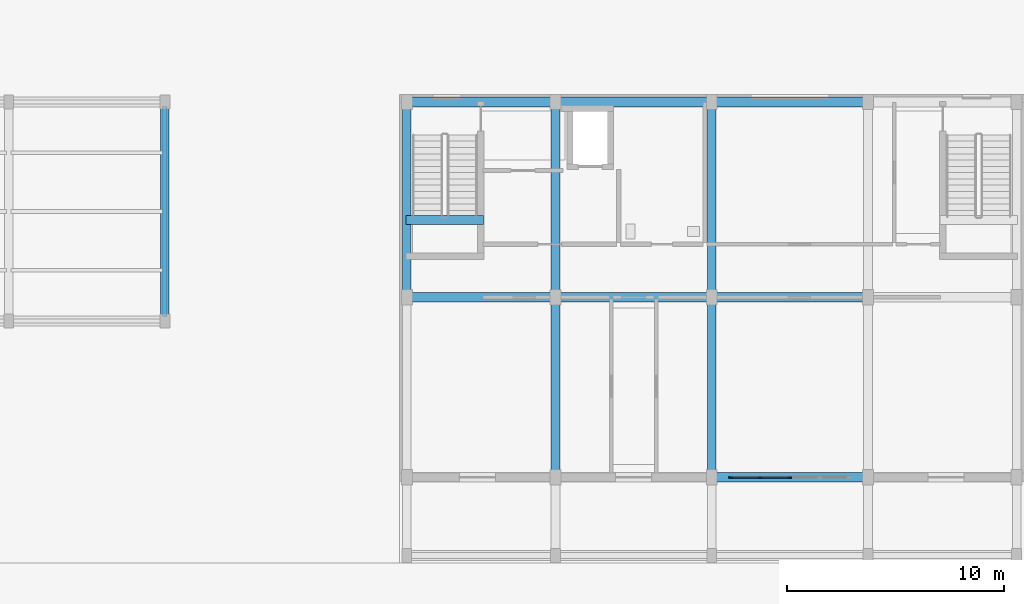
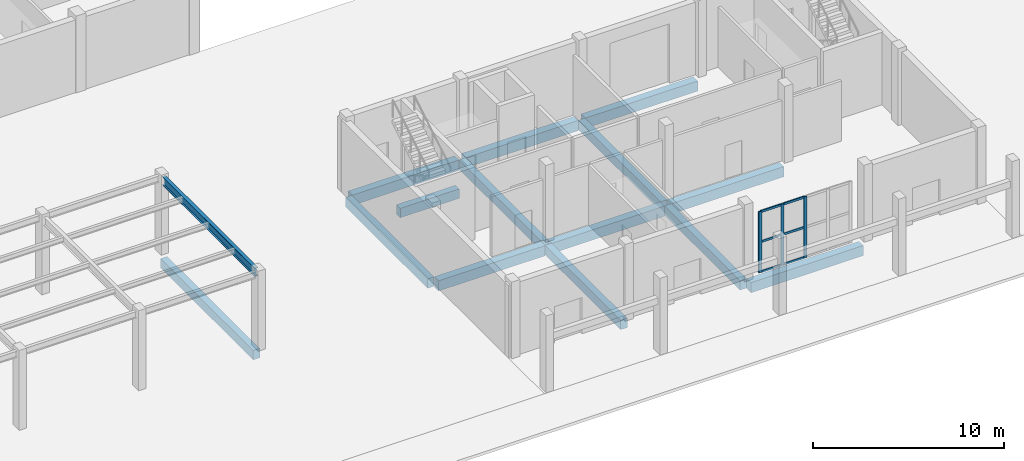
# One storey, part 12 of 85: 15 beams, 9 members, 1 element without a shape of its own.
"""IFC4 building model written with IfcOpenShell, lengths in metres."""

from ifc_helpers import new_model, si_unit, derived_unit, direction, frame, origin, origin_2d, place, context, subcontext, project, spatial, rectangle, i_section, extrude, material, layer, layer_set, material_profile, profile_set, type_object, element, aggregate, save


model = new_model("IFC4")

# Units and contexts
model_context = context("Model", 3, precision=1e-05, world=origin(), true_north=direction((0.0, 1.0)))
body_context = subcontext(model_context, "Body", "Model", "MODEL_VIEW")
ifc_project = project(units=[si_unit("LENGTHUNIT", "METRE"), si_unit("AREAUNIT", "SQUARE_METRE"), si_unit("VOLUMEUNIT", "CUBIC_METRE"), si_unit("PLANEANGLEUNIT", "RADIAN"), si_unit("MASSUNIT", "GRAM", prefix="KILO"), derived_unit("THERMALTRANSMITTANCEUNIT", [(si_unit("MASSUNIT", "GRAM", prefix="KILO"), 1), (si_unit("TIMEUNIT", "SECOND"), -3), (si_unit("THERMODYNAMICTEMPERATUREUNIT", "KELVIN"), -1)])], contexts=[model_context])

# Site, building, storey
site_placement = place(None, origin())
site = spatial("IfcSite", under=ifc_project, at=site_placement, CompositionType="ELEMENT")
building_placement = place(site_placement, origin())
building = spatial("IfcBuilding", under=site, at=building_placement, Name="Ochrekiln Boulevard Commons", CompositionType="ELEMENT")
storey_placement = place(building_placement, origin())
storey = spatial("IfcBuildingStorey", under=building, at=storey_placement, Name="L00", CompositionType="ELEMENT", Elevation=0.0)

# Beams
ifc_material_1 = material(Name="Concrete C35/45", Category="concrete")
ifc_material_profile_1 = material_profile(ifc_material_1, rectangle(XDim=0.39990234375, YDim=0.60009765625, at=origin_2d()), Name="RC-BM-400x600")
ifc_profile_set_1 = profile_set([ifc_material_profile_1], Name="Concrete C35/45")
beam_type_1 = type_object("IfcBeamType", Name="BM-RC-400x600", PredefinedType="BEAM", material=ifc_profile_set_1)
beam_1_placement = place(storey_placement, frame((108.35009765625, 12.4599609375, -0.590087890625), z_axis=(0.0, 1.0, 0.0), x_axis=(-1.0, 0.0, 0.0)))
element("IfcBeam", 1, at=beam_1_placement, inside=storey, type_object=beam_type_1, Name="East Boulevard Shops and Arcade L00 Beam B-4060 Y19", PredefinedType="BEAM", context=body_context, shape_type="SweptSolid", body=[
    extrude(rectangle(XDim=0.39990234375, YDim=0.60009765625, at=origin_2d()), origin(), (0.0, 0.0, 1.0), 8.580078125),
])
beam_2_placement = place(storey_placement, frame((115.199951171875, 4.159912109375, -0.590087890625), z_axis=(0.0, 1.0, 0.0), x_axis=(-1.0, 0.0, 0.0)))
element("IfcBeam", 2, at=beam_2_placement, inside=storey, type_object=beam_type_1, Name="East Boulevard Shops and Arcade L00 Beam B-4060 Y21", PredefinedType="BEAM", context=body_context, shape_type="SweptSolid", body=[
    extrude(rectangle(XDim=0.39990234375, YDim=0.60009765625, at=origin_2d()), origin(), (0.0, 0.0, 1.0), 7.880126953125),
])
beam_3_placement = place(storey_placement, frame((115.199951171875, 12.4599609375, -0.590087890625), z_axis=(0.0, 1.0, 0.0), x_axis=(-1.0, 0.0, 0.0)))
element("IfcBeam", 3, at=beam_3_placement, inside=storey, type_object=beam_type_1, Name="East Boulevard Shops and Arcade L00 Beam B-4060 Y22", PredefinedType="BEAM", context=body_context, shape_type="SweptSolid", body=[
    extrude(rectangle(XDim=0.39990234375, YDim=0.60009765625, at=origin_2d()), origin(), (0.0, 0.0, 1.0), 8.580078125),
])
beam_4_placement = place(storey_placement, frame((122.39990234375, 4.159912109375, -0.590087890625), z_axis=(0.0, 1.0, 0.0), x_axis=(-1.0, 0.0, 0.0)))
element("IfcBeam", 4, at=beam_4_placement, inside=storey, type_object=beam_type_1, Name="East Boulevard Shops and Arcade L00 Beam B-4060 Y24", PredefinedType="BEAM", context=body_context, shape_type="SweptSolid", body=[
    extrude(rectangle(XDim=0.39990234375, YDim=0.60009765625, at=origin_2d()), origin(), (0.0, 0.0, 1.0), 7.880126953125),
])
beam_5_placement = place(storey_placement, frame((122.39990234375, 12.4599609375, -0.590087890625), z_axis=(0.0, 1.0, 0.0), x_axis=(-1.0, 0.0, 0.0)))
element("IfcBeam", 5, at=beam_5_placement, inside=storey, type_object=beam_type_1, Name="East Boulevard Shops and Arcade L00 Beam B-4060 Y25", PredefinedType="BEAM", context=body_context, shape_type="SweptSolid", body=[
    extrude(rectangle(XDim=0.39990234375, YDim=0.60009765625, at=origin_2d()), origin(), (0.0, 0.0, 1.0), 8.580078125),
])
beam_6_placement = place(storey_placement, frame((97.199951171875, 11.360107421875, -0.580078125), z_axis=(0.0, 1.0, 0.0), x_axis=(-1.0, 0.0, 0.0)))
element("IfcBeam", 6, at=beam_6_placement, inside=storey, type_object=beam_type_1, Name="Forecourt Canopy L00 Beam B-4060 Y13", PredefinedType="BEAM", context=body_context, shape_type="SweptSolid", body=[
    extrude(rectangle(XDim=0.39990234375, YDim=0.60009765625, at=origin_2d()), origin(), (0.0, 0.0, 1.0), 9.679931640625),
])
beam_7_placement = place(storey_placement, frame((108.320068359375, 15.81005859375, 1.93994140625), z_axis=(1.0, 0.0, 0.0), x_axis=(0.0, 1.0, 0.0)))
element("IfcBeam", 7, at=beam_7_placement, inside=storey, type_object=beam_type_1, Name="Stair ST-E1 L00 Half-Landing Support Beam B-4060", PredefinedType="BEAM", context=body_context, shape_type="SweptSolid", body=[
    extrude(rectangle(XDim=0.39990234375, YDim=0.60009765625, at=origin_2d()), origin(), (0.0, 0.0, 1.0), 3.559814453125),
])
ifc_material_profile_2 = material_profile(ifc_material_1, rectangle(XDim=0.449951171875, YDim=0.64990234375, at=origin_2d()), Name="RC-BM-450x650")
ifc_profile_set_2 = profile_set([ifc_material_profile_2], Name="Concrete C35/45")
beam_type_2 = type_object("IfcBeamType", Name="BM-RC-450x650", PredefinedType="BEAM", material=ifc_profile_set_2)
beam_8_placement = place(storey_placement, frame((122.610107421875, 3.949951171875, -0.614990234375), z_axis=(1.0, 0.0, 0.0), x_axis=(0.0, 1.0, 0.0)))
element("IfcBeam", 8, at=beam_8_placement, inside=storey, type_object=beam_type_2, Name="East Boulevard Shops and Arcade L00 Beam B-4565 X7", PredefinedType="BEAM", context=body_context, shape_type="SweptSolid", body=[
    extrude(rectangle(XDim=0.449951171875, YDim=0.64990234375, at=origin_2d()), origin(), (0.0, 0.0, 1.0), 6.77978515625),
])
beam_9_placement = place(storey_placement, frame((108.56005859375, 12.25, -0.614990234375), z_axis=(1.0, 0.0, 0.0), x_axis=(0.0, 1.0, 0.0)))
element("IfcBeam", 9, at=beam_9_placement, inside=storey, type_object=beam_type_2, Name="East Boulevard Shops and Arcade L00 Beam B-4565 X9", PredefinedType="BEAM", context=body_context, shape_type="SweptSolid", body=[
    extrude(rectangle(XDim=0.449951171875, YDim=0.64990234375, at=origin_2d()), origin(), (0.0, 0.0, 1.0), 6.429931640625),
])
beam_10_placement = place(storey_placement, frame((115.409912109375, 12.25, -0.614990234375), z_axis=(1.0, 0.0, 0.0), x_axis=(0.0, 1.0, 0.0)))
element("IfcBeam", 10, at=beam_10_placement, inside=storey, type_object=beam_type_2, Name="East Boulevard Shops and Arcade L00 Beam B-4565 X10", PredefinedType="BEAM", context=body_context, shape_type="SweptSolid", body=[
    extrude(rectangle(XDim=0.449951171875, YDim=0.64990234375, at=origin_2d()), origin(), (0.0, 0.0, 1.0), 6.780029296875),
])
beam_11_placement = place(storey_placement, frame((122.610107421875, 12.25, -0.614990234375), z_axis=(1.0, 0.0, 0.0), x_axis=(0.0, 1.0, 0.0)))
element("IfcBeam", 11, at=beam_11_placement, inside=storey, type_object=beam_type_2, Name="East Boulevard Shops and Arcade L00 Beam B-4565 X11", PredefinedType="BEAM", context=body_context, shape_type="SweptSolid", body=[
    extrude(rectangle(XDim=0.449951171875, YDim=0.64990234375, at=origin_2d()), origin(), (0.0, 0.0, 1.0), 6.77978515625),
])
beam_12_placement = place(storey_placement, frame((108.56005859375, 21.25, -0.614990234375), z_axis=(1.0, 0.0, 0.0), x_axis=(0.0, 1.0, 0.0)))
element("IfcBeam", 12, at=beam_12_placement, inside=storey, type_object=beam_type_2, Name="East Boulevard Shops and Arcade L00 Beam B-4565 X13", PredefinedType="BEAM", context=body_context, shape_type="SweptSolid", body=[
    extrude(rectangle(XDim=0.449951171875, YDim=0.64990234375, at=origin_2d()), origin(), (0.0, 0.0, 1.0), 6.429931640625),
])
beam_13_placement = place(storey_placement, frame((115.409912109375, 21.25, -0.614990234375), z_axis=(1.0, 0.0, 0.0), x_axis=(0.0, 1.0, 0.0)))
element("IfcBeam", 13, at=beam_13_placement, inside=storey, type_object=beam_type_2, Name="East Boulevard Shops and Arcade L00 Beam B-4565 X14", PredefinedType="BEAM", context=body_context, shape_type="SweptSolid", body=[
    extrude(rectangle(XDim=0.449951171875, YDim=0.64990234375, at=origin_2d()), origin(), (0.0, 0.0, 1.0), 6.780029296875),
])
beam_14_placement = place(storey_placement, frame((122.610107421875, 21.25, -0.614990234375), z_axis=(1.0, 0.0, 0.0), x_axis=(0.0, 1.0, 0.0)))
element("IfcBeam", 14, at=beam_14_placement, inside=storey, type_object=beam_type_2, Name="East Boulevard Shops and Arcade L00 Beam B-4565 X15", PredefinedType="BEAM", context=body_context, shape_type="SweptSolid", body=[
    extrude(rectangle(XDim=0.449951171875, YDim=0.64990234375, at=origin_2d()), origin(), (0.0, 0.0, 1.0), 6.77978515625),
])
ifc_material_2 = material(Name="Steel A992 Grade 50", Category="steel")
ifc_material_profile_3 = material_profile(ifc_material_2, i_section(OverallWidth=0.2099609375, OverallDepth=0.532958984375, WebThickness=0.01025390625, FlangeThickness=0.015625, at=origin_2d()), Name="W21X62")
ifc_profile_set_3 = profile_set([ifc_material_profile_3], Name="Steel A992 Grade 50")
beam_type_3 = type_object("IfcBeamType", Name="BM-STL-W21X62", PredefinedType="BEAM", material=ifc_profile_set_3)
beam_15_placement = place(storey_placement, frame((97.199951171875, 11.360107421875, 4.653564453125), z_axis=(0.0, 1.0, 0.0), x_axis=(-1.0, 0.0, 0.0)))
element("IfcBeam", 15, at=beam_15_placement, inside=storey, type_object=beam_type_3, Name="Forecourt Canopy L00 Beam SB-W21 Y13", PredefinedType="BEAM", context=body_context, shape_type="SweptSolid", body=[
    extrude(i_section(OverallWidth=0.2099609375, OverallDepth=0.532958984375, WebThickness=0.01025390625, FlangeThickness=0.015625, at=origin_2d()), origin(), (0.0, 0.0, 1.0), 9.679931640625),
])

# Curtain wall, members
ifc_material_3 = material(Name="Bronze-anodized extruded aluminium 6063-T6", Category="aluminium")
ifc_layer = layer(ifc_material_3, 0.2080078125)
ifc_layer_set = layer_set([ifc_layer], Name="Bronze-anodized extruded aluminium 6063-T6")
curtain_wall_type = type_object("IfcCurtainWallType", Name="CW-SHOP", PredefinedType="USERDEFINED", material=ifc_layer_set)
curtain_wall_placement = place(storey_placement, origin())
curtain_wall = element("IfcCurtainWall", 16, at=curtain_wall_placement, inside=storey, type_object=curtain_wall_type, Name="East Boulevard Arcade Glazed Shopfront Curtain Wall 3", ObjectType="GLAZED CURTAIN WALL", PredefinedType="USERDEFINED")
ifc_material_profile_4 = material_profile(ifc_material_3, rectangle(XDim=0.06494140625, YDim=0.179931640625, at=origin_2d()), Name="ALU-MUL-65x180")
ifc_profile_set_4 = profile_set([ifc_material_profile_4], Name="Bronze-anodized extruded aluminium 6063-T6")
member_type_1 = type_object("IfcMemberType", Name="CWM-65x180", PredefinedType="MULLION", material=ifc_profile_set_4)
member_1_placement = place(storey_placement, frame((123.282470703125, 3.949951171875, 0.0), z_axis=(0.0, 0.0, 1.0), x_axis=(0.0, 1.0, 0.0)))
member_1 = element("IfcMember", 17, at=member_1_placement, type_object=member_type_1, Name="CW-04 mullion 1", PredefinedType="MULLION", context=body_context, shape_type="SweptSolid", body=[
    extrude(rectangle(XDim=0.06494140625, YDim=0.179931640625, at=origin_2d()), origin(), (0.0, 0.0, 1.0), 3.89990234375),
])
member_2_placement = place(storey_placement, frame((124.625, 3.949951171875, 0.0), z_axis=(0.0, 0.0, 1.0), x_axis=(0.0, 1.0, 0.0)))
member_2 = element("IfcMember", 18, at=member_2_placement, type_object=member_type_1, Name="CW-04 mullion 2", PredefinedType="MULLION", context=body_context, shape_type="SweptSolid", body=[
    extrude(rectangle(XDim=0.06494140625, YDim=0.179931640625, at=origin_2d()), origin(), (0.0, 0.0, 1.0), 3.89990234375),
])
member_3_placement = place(storey_placement, frame((126.0, 3.949951171875, 0.0), z_axis=(0.0, 0.0, 1.0), x_axis=(0.0, 1.0, 0.0)))
member_3 = element("IfcMember", 19, at=member_3_placement, type_object=member_type_1, Name="CW-04 mullion 3", PredefinedType="MULLION", context=body_context, shape_type="SweptSolid", body=[
    extrude(rectangle(XDim=0.06494140625, YDim=0.179931640625, at=origin_2d()), origin(), (0.0, 0.0, 1.0), 3.89990234375),
])
ifc_material_profile_5 = material_profile(ifc_material_3, rectangle(XDim=0.06494140625, YDim=0.139892578125, at=origin_2d()), Name="ALU-TRN-65x140")
ifc_profile_set_5 = profile_set([ifc_material_profile_5], Name="Bronze-anodized extruded aluminium 6063-T6")
member_type_2 = type_object("IfcMemberType", Name="CWT-65x140", PredefinedType="USERDEFINED", material=ifc_profile_set_5)
member_4_placement = place(storey_placement, frame((123.31494140625, 3.949951171875, 0.032470703125), z_axis=(1.0, 0.0, 0.0), x_axis=(0.0, 1.0, 0.0)))
member_4 = element("IfcMember", 20, at=member_4_placement, type_object=member_type_2, Name="CW-04 transom 1.1", ObjectType="TRANSOM", PredefinedType="USERDEFINED", context=body_context, shape_type="SweptSolid", body=[
    extrude(rectangle(XDim=0.06494140625, YDim=0.139892578125, at=origin_2d()), origin(), (0.0, 0.0, 1.0), 1.277587890625),
])
member_5_placement = place(storey_placement, frame((123.31494140625, 3.949951171875, 1.949951171875), z_axis=(1.0, 0.0, 0.0), x_axis=(0.0, 1.0, 0.0)))
member_5 = element("IfcMember", 21, at=member_5_placement, type_object=member_type_2, Name="CW-04 transom 1.2", ObjectType="TRANSOM", PredefinedType="USERDEFINED", context=body_context, shape_type="SweptSolid", body=[
    extrude(rectangle(XDim=0.06494140625, YDim=0.139892578125, at=origin_2d()), origin(), (0.0, 0.0, 1.0), 1.277587890625),
])
member_6_placement = place(storey_placement, frame((123.31494140625, 3.949951171875, 3.867431640625), z_axis=(1.0, 0.0, 0.0), x_axis=(0.0, 1.0, 0.0)))
member_6 = element("IfcMember", 22, at=member_6_placement, type_object=member_type_2, Name="CW-04 transom 1.3", ObjectType="TRANSOM", PredefinedType="USERDEFINED", context=body_context, shape_type="SweptSolid", body=[
    extrude(rectangle(XDim=0.06494140625, YDim=0.139892578125, at=origin_2d()), origin(), (0.0, 0.0, 1.0), 1.277587890625),
])
member_7_placement = place(storey_placement, frame((124.657470703125, 3.949951171875, 0.032470703125), z_axis=(1.0, 0.0, 0.0), x_axis=(0.0, 1.0, 0.0)))
member_7 = element("IfcMember", 23, at=member_7_placement, type_object=member_type_2, Name="CW-04 transom 2.1", ObjectType="TRANSOM", PredefinedType="USERDEFINED", context=body_context, shape_type="SweptSolid", body=[
    extrude(rectangle(XDim=0.06494140625, YDim=0.139892578125, at=origin_2d()), origin(), (0.0, 0.0, 1.0), 1.31005859375),
])
member_8_placement = place(storey_placement, frame((124.657470703125, 3.949951171875, 1.949951171875), z_axis=(1.0, 0.0, 0.0), x_axis=(0.0, 1.0, 0.0)))
member_8 = element("IfcMember", 24, at=member_8_placement, type_object=member_type_2, Name="CW-04 transom 2.2", ObjectType="TRANSOM", PredefinedType="USERDEFINED", context=body_context, shape_type="SweptSolid", body=[
    extrude(rectangle(XDim=0.06494140625, YDim=0.139892578125, at=origin_2d()), origin(), (0.0, 0.0, 1.0), 1.31005859375),
])
member_9_placement = place(storey_placement, frame((124.657470703125, 3.949951171875, 3.867431640625), z_axis=(1.0, 0.0, 0.0), x_axis=(0.0, 1.0, 0.0)))
member_9 = element("IfcMember", 25, at=member_9_placement, type_object=member_type_2, Name="CW-04 transom 2.3", ObjectType="TRANSOM", PredefinedType="USERDEFINED", context=body_context, shape_type="SweptSolid", body=[
    extrude(rectangle(XDim=0.06494140625, YDim=0.139892578125, at=origin_2d()), origin(), (0.0, 0.0, 1.0), 1.31005859375),
])
aggregate(curtain_wall, [member_1, member_2, member_3, member_4, member_5, member_6, member_7, member_8, member_9])

save(model, "model.ifc")
